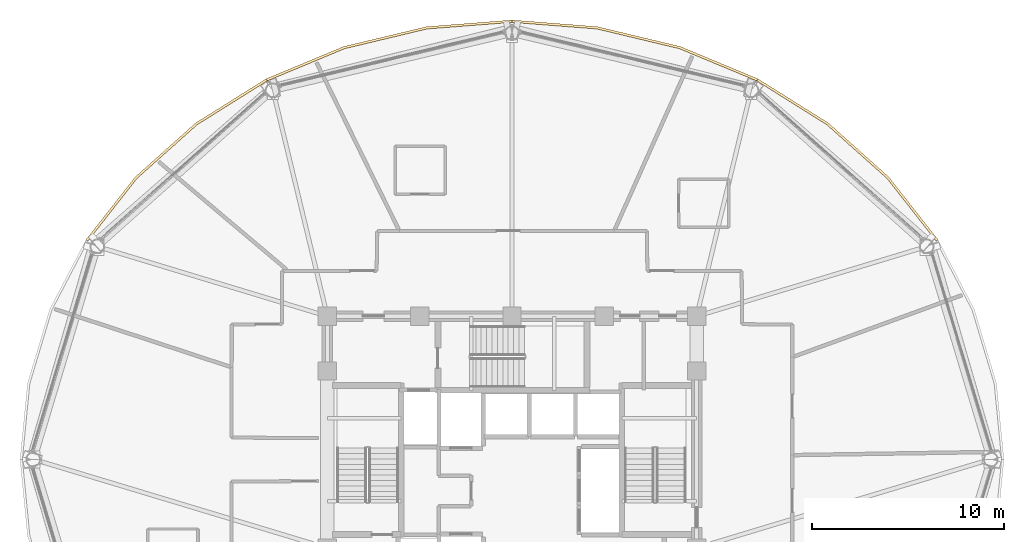
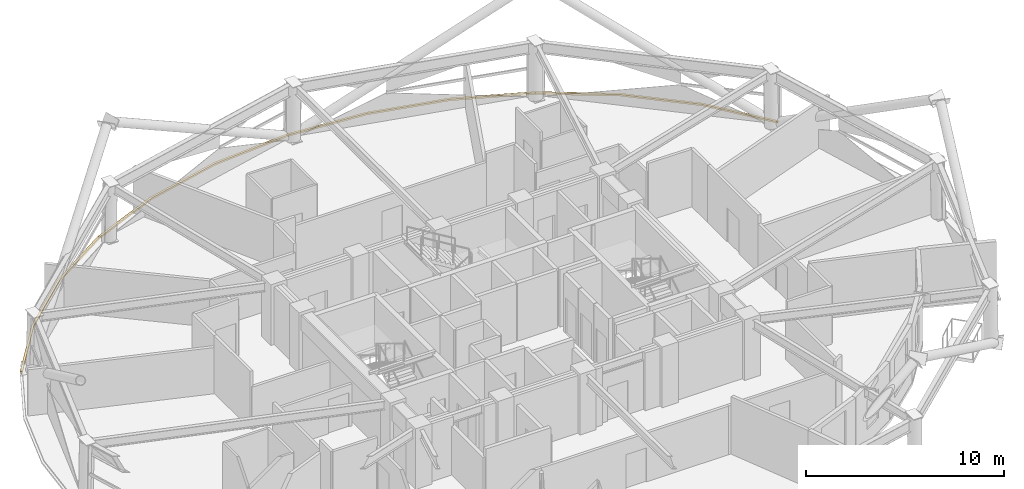
# One storey, part 17 of 17: 4 coverings.
"""IFC4 building model written with IfcOpenShell, lengths in metres."""

from ifc_helpers import new_model, si_unit, direction, frame, origin, place, context, subcontext, project, spatial, polyline, outline, extrude, material, layer, layer_set, type_object, element, save


model = new_model("IFC4")

# Units and contexts
model_context = context("Model", 3, precision=1e-05, world=origin(), true_north=direction((0.0, 1.0)))
body_context = subcontext(model_context, "Body", "Model", "MODEL_VIEW")
ifc_project = project(units=[si_unit("LENGTHUNIT", "METRE"), si_unit("AREAUNIT", "SQUARE_METRE"), si_unit("VOLUMEUNIT", "CUBIC_METRE"), si_unit("PLANEANGLEUNIT", "RADIAN"), si_unit("MASSUNIT", "GRAM", prefix="KILO")], contexts=[model_context])

# Site, building, storey
site_placement = place(None, origin())
site = spatial("IfcSite", under=ifc_project, at=site_placement, CompositionType="ELEMENT")
building_placement = place(site_placement, origin())
building = spatial("IfcBuilding", under=site, at=building_placement, Name="Vantalir Tower", CompositionType="ELEMENT")
storey_placement = place(building_placement, frame((0.0, 0.0, 142.199951171875)))
storey = spatial("IfcBuildingStorey", under=building, at=storey_placement, Name="L35", CompositionType="ELEMENT", Elevation=142.199951171875)

# Coverings
ifc_material = material(Name="Anodised champagne aluminium sill fascia", Category="aluminium")
ifc_layer = layer(ifc_material, 0.125)
ifc_layer_set = layer_set([ifc_layer], Name="Anodised champagne aluminium sill fascia")
covering_type = type_object("IfcCoveringType", Name="COV-SLAB-FASCIA-125", PredefinedType="CLADDING", material=ifc_layer_set)
covering_1_placement = place(storey_placement, frame((0.0, 0.0, -0.179931640625)))
element("IfcCovering", 1, at=covering_1_placement, inside=storey, type_object=covering_type, Name="L35 Perimeter Slab-Edge Sill Fascia 02", PredefinedType="CLADDING", context=body_context, shape_type="SweptSolid", body=[
    extrude(outline(polyline([(53.655029296875, 36.427001953125), (51.096923828125, 39.69091796875), (47.944091796875, 42.508056640625), (44.291015625, 44.79296875), (44.22900390625, 44.68505859375), (47.863037109375, 42.412109375), (51.0009765625, 39.611083984375), (53.5458984375, 36.364990234375), (53.655029296875, 36.427001953125)])), origin(), (0.0, 0.0, 1.0), 0.10498046875),
])
covering_2_placement = place(storey_placement, frame((0.0, 0.0, -0.179931640625)))
element("IfcCovering", 2, at=covering_2_placement, inside=storey, type_object=covering_type, Name="L35 Perimeter Slab-Edge Sill Fascia 03", PredefinedType="CLADDING", context=body_context, shape_type="SweptSolid", body=[
    extrude(outline(polyline([(44.291015625, 44.79296875), (40.25, 46.47705078125), (35.94189453125, 47.508056640625), (31.5, 47.85498046875), (31.5, 47.72998046875), (35.9208984375, 47.385009765625), (40.20703125, 46.35888671875), (44.22900390625, 44.68505859375), (44.291015625, 44.79296875)])), origin(), (0.0, 0.0, 1.0), 0.10498046875),
])
covering_3_placement = place(storey_placement, frame((0.0, 0.0, -0.179931640625)))
element("IfcCovering", 3, at=covering_3_placement, inside=storey, type_object=covering_type, Name="L35 Perimeter Slab-Edge Sill Fascia 04", PredefinedType="CLADDING", context=body_context, shape_type="SweptSolid", body=[
    extrude(outline(polyline([(31.5, 47.85498046875), (27.05810546875, 47.508056640625), (22.75, 46.47705078125), (18.708984375, 44.79296875), (18.77197265625, 44.68505859375), (22.79296875, 46.35888671875), (27.0791015625, 47.385009765625), (31.5, 47.72998046875), (31.5, 47.85498046875)])), origin(), (0.0, 0.0, 1.0), 0.10498046875),
])
covering_4_placement = place(storey_placement, frame((0.0, 0.0, -0.179931640625)))
element("IfcCovering", 4, at=covering_4_placement, inside=storey, type_object=covering_type, Name="L35 Perimeter Slab-Edge Sill Fascia 05", PredefinedType="CLADDING", context=body_context, shape_type="SweptSolid", body=[
    extrude(outline(polyline([(18.708984375, 44.79296875), (15.055908203125, 42.508056640625), (11.903076171875, 39.69091796875), (9.344970703125, 36.427001953125), (9.4541015625, 36.364990234375), (11.9990234375, 39.611083984375), (15.136962890625, 42.412109375), (18.77197265625, 44.68505859375), (18.708984375, 44.79296875)])), origin(), (0.0, 0.0, 1.0), 0.10498046875),
])

save(model, "model.ifc")
